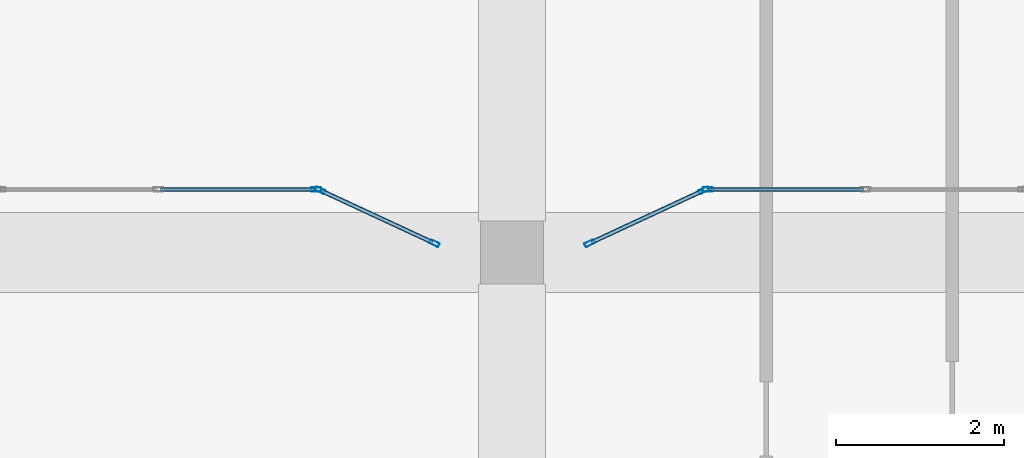
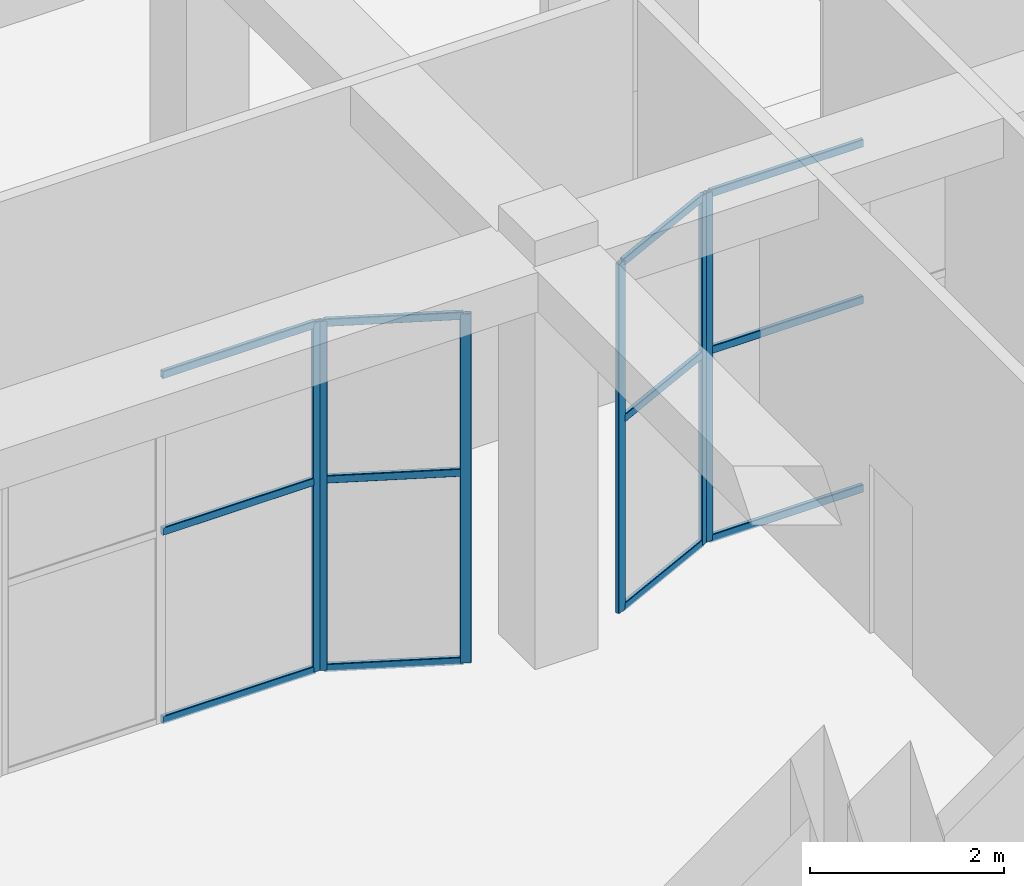
# One storey, part 14 of 84: 18 members, 4 elements without a shape of their own.
"""IFC4 building model written with IfcOpenShell, lengths in metres."""

from ifc_helpers import new_model, si_unit, derived_unit, direction, frame, origin, origin_2d, place, context, subcontext, project, spatial, hollow_rectangle, extrude, material, material_profile, profile_set, type_object, element, aggregate, save


model = new_model("IFC4")

# Units and contexts
model_context = context("Model", 3, precision=1e-05, world=origin(), true_north=direction((0.0, 1.0)))
body_context = subcontext(model_context, "Body", "Model", "MODEL_VIEW")
ifc_project = project(units=[si_unit("LENGTHUNIT", "METRE"), si_unit("AREAUNIT", "SQUARE_METRE"), si_unit("VOLUMEUNIT", "CUBIC_METRE"), si_unit("PLANEANGLEUNIT", "RADIAN"), si_unit("MASSUNIT", "GRAM", prefix="KILO"), derived_unit("THERMALTRANSMITTANCEUNIT", [(si_unit("POWERUNIT", "WATT"), 1), (si_unit("LENGTHUNIT", "METRE"), -2), (si_unit("THERMODYNAMICTEMPERATUREUNIT", "KELVIN"), -1)])], contexts=[model_context])

# Site, building, storey
site_placement = place(None, origin())
site = spatial("IfcSite", under=ifc_project, at=site_placement, CompositionType="ELEMENT")
building_placement = place(site_placement, origin())
building = spatial("IfcBuilding", under=site, at=building_placement, Name="Veybourne Emporium", CompositionType="ELEMENT")
storey_placement = place(building_placement, origin())
storey = spatial("IfcBuildingStorey", under=building, at=storey_placement, Name="L00", CompositionType="ELEMENT", Elevation=0.0)

# Curtain wall, member
ifc_material = material(Name="Patinated Architectural Bronze", Category="bronze")
curtain_wall_type_1 = type_object("IfcCurtainWallType", Name="CWSystem_CWI-05", PredefinedType="NOTDEFINED", material=ifc_material)
curtain_wall_1_placement = place(storey_placement, origin())
curtain_wall_1 = element("IfcCurtainWall", 1, at=curtain_wall_1_placement, inside=storey, type_object=curtain_wall_type_1, Name="Arcade bow-front boutique shopfront L00 bay 9 facet 2", PredefinedType="NOTDEFINED")
ifc_material_profile_1 = material_profile(ifc_material, hollow_rectangle(XDim=0.050048828125, YDim=0.1201171875, WallThickness=0.00390625, InnerFilletRadius=0.006103515625, OuterFilletRadius=0.010009765625, at=origin_2d()), Name="CWM 50x120x4")
ifc_profile_set_1 = profile_set([ifc_material_profile_1], Name="Patinated Architectural Bronze")
member_type_1 = type_object("IfcMemberType", Name="CWMullion_CW-M5", PredefinedType="MULLION", material=ifc_profile_set_1)
member_1_placement = place(storey_placement, frame((81.675048828125, 22.35009765625, 0.0), z_axis=(0.0, 0.0, 1.0), x_axis=(0.0, 1.0, 0.0)))
member_1 = element("IfcMember", 2, at=member_1_placement, type_object=member_type_1, Name="CWI-05 mullion 3", PredefinedType="MULLION", context=body_context, shape_type="SweptSolid", body=[
    extrude(hollow_rectangle(XDim=0.050048828125, YDim=0.1201171875, WallThickness=0.00390625, InnerFilletRadius=0.006103515625, OuterFilletRadius=0.010009765625, at=origin_2d()), origin(), (0.0, 0.0, 1.0), 4.39990234375),
])

# Curtain wall, members
curtain_wall_type_2 = type_object("IfcCurtainWallType", Name="CWSystem_CWI-06", PredefinedType="NOTDEFINED", material=ifc_material)
curtain_wall_2_placement = place(storey_placement, origin())
curtain_wall_2 = element("IfcCurtainWall", 3, at=curtain_wall_2_placement, inside=storey, type_object=curtain_wall_type_2, Name="Arcade bow-front boutique shopfront L00 bay 9 facet 3", PredefinedType="NOTDEFINED")
member_2_placement = place(storey_placement, frame((81.72265625, 22.33935546875, 0.0), z_axis=(0.0, 0.0, 1.0), x_axis=(0.421111306453, 0.907008967749, 0.0)))
member_2 = element("IfcMember", 4, at=member_2_placement, type_object=member_type_1, Name="CWI-06 mullion 1", PredefinedType="MULLION", context=body_context, shape_type="SweptSolid", body=[
    extrude(hollow_rectangle(XDim=0.050048828125, YDim=0.1201171875, WallThickness=0.00390625, InnerFilletRadius=0.006103515625, OuterFilletRadius=0.010009765625, at=origin_2d()), origin(), (0.0, 0.0, 1.0), 4.39990234375),
])
member_3_placement = place(storey_placement, frame((83.077392578125, 21.71044921875, 0.0), z_axis=(0.0, 0.0, 1.0), x_axis=(0.421111306453, 0.907008967749, 0.0)))
member_3 = element("IfcMember", 5, at=member_3_placement, type_object=member_type_1, Name="CWI-06 mullion 2", PredefinedType="MULLION", context=body_context, shape_type="SweptSolid", body=[
    extrude(hollow_rectangle(XDim=0.050048828125, YDim=0.1201171875, WallThickness=0.00390625, InnerFilletRadius=0.006103515625, OuterFilletRadius=0.010009765625, at=origin_2d()), origin(), (0.0, 0.0, 1.0), 4.39990234375),
])

curtain_wall_3_placement = place(storey_placement, origin())
curtain_wall_3 = element("IfcCurtainWall", 6, at=curtain_wall_3_placement, inside=storey, type_object=curtain_wall_type_1, Name="Arcade bow-front boutique shopfront L00 bay 10 facet 1", PredefinedType="NOTDEFINED")
member_4_placement = place(storey_placement, frame((84.922607421875, 21.71044921875, 0.0), z_axis=(0.0, 0.0, 1.0), x_axis=(-0.421111306453, 0.907008967749, 0.0)))
member_4 = element("IfcMember", 7, at=member_4_placement, type_object=member_type_1, Name="CWI-05 mullion 1", PredefinedType="MULLION", context=body_context, shape_type="SweptSolid", body=[
    extrude(hollow_rectangle(XDim=0.050048828125, YDim=0.1201171875, WallThickness=0.00390625, InnerFilletRadius=0.006103515625, OuterFilletRadius=0.010009765625, at=origin_2d()), origin(), (0.0, 0.0, 1.0), 4.39990234375),
])
member_5_placement = place(storey_placement, frame((86.27734375, 22.33935546875, 0.0), z_axis=(0.0, 0.0, 1.0), x_axis=(-0.421111306453, 0.907008967749, 0.0)))
member_5 = element("IfcMember", 8, at=member_5_placement, type_object=member_type_1, Name="CWI-05 mullion 2", PredefinedType="MULLION", context=body_context, shape_type="SweptSolid", body=[
    extrude(hollow_rectangle(XDim=0.050048828125, YDim=0.1201171875, WallThickness=0.00390625, InnerFilletRadius=0.006103515625, OuterFilletRadius=0.010009765625, at=origin_2d()), origin(), (0.0, 0.0, 1.0), 4.39990234375),
])

# Curtain wall, member
curtain_wall_4_placement = place(storey_placement, origin())
curtain_wall_4 = element("IfcCurtainWall", 9, at=curtain_wall_4_placement, inside=storey, type_object=curtain_wall_type_2, Name="Arcade bow-front boutique shopfront L00 bay 10 facet 2", PredefinedType="NOTDEFINED")
member_6_placement = place(storey_placement, frame((86.324951171875, 22.35009765625, 0.0), z_axis=(0.0, 0.0, 1.0), x_axis=(0.0, 1.0, 0.0)))
member_6 = element("IfcMember", 10, at=member_6_placement, type_object=member_type_1, Name="CWI-06 mullion 1", PredefinedType="MULLION", context=body_context, shape_type="SweptSolid", body=[
    extrude(hollow_rectangle(XDim=0.050048828125, YDim=0.1201171875, WallThickness=0.00390625, InnerFilletRadius=0.006103515625, OuterFilletRadius=0.010009765625, at=origin_2d()), origin(), (0.0, 0.0, 1.0), 4.39990234375),
])

# Member
ifc_material_profile_2 = material_profile(ifc_material, hollow_rectangle(XDim=0.050048828125, YDim=0.10009765625, WallThickness=0.00390625, InnerFilletRadius=0.006103515625, OuterFilletRadius=0.010009765625, at=origin_2d()), Name="CWT 50x100x4")
ifc_profile_set_2 = profile_set([ifc_material_profile_2], Name="Patinated Architectural Bronze")
member_type_2 = type_object("IfcMemberType", Name="CWTransom_CW-T5", PredefinedType="NOTDEFINED", material=ifc_profile_set_2)
member_7_placement = place(storey_placement, frame((79.824951171875, 22.35009765625, 0.02490234375), z_axis=(1.0, 0.0, 0.0), x_axis=(0.0, 1.0, 0.0)))
member_7 = element("IfcMember", 11, at=member_7_placement, type_object=member_type_2, Name="CWI-05 transom 2.1", ObjectType="TRANSOM", PredefinedType="USERDEFINED", context=body_context, shape_type="SweptSolid", body=[
    extrude(hollow_rectangle(XDim=0.050048828125, YDim=0.10009765625, WallThickness=0.00390625, InnerFilletRadius=0.006103515625, OuterFilletRadius=0.010009765625, at=origin_2d()), origin(), (0.0, 0.0, 1.0), 1.824951171875),
])

member_8_placement = place(storey_placement, frame((79.824951171875, 22.35009765625, 2.39990234375), z_axis=(1.0, 0.0, 0.0), x_axis=(0.0, 1.0, 0.0)))
member_8 = element("IfcMember", 12, at=member_8_placement, type_object=member_type_2, Name="CWI-05 transom 2.2", ObjectType="TRANSOM", PredefinedType="USERDEFINED", context=body_context, shape_type="SweptSolid", body=[
    extrude(hollow_rectangle(XDim=0.050048828125, YDim=0.10009765625, WallThickness=0.00390625, InnerFilletRadius=0.006103515625, OuterFilletRadius=0.010009765625, at=origin_2d()), origin(), (0.0, 0.0, 1.0), 1.824951171875),
])

member_9_placement = place(storey_placement, frame((79.824951171875, 22.35009765625, 4.375), z_axis=(1.0, 0.0, 0.0), x_axis=(0.0, 1.0, 0.0)))
member_9 = element("IfcMember", 13, at=member_9_placement, type_object=member_type_2, Name="CWI-05 transom 2.3", ObjectType="TRANSOM", PredefinedType="USERDEFINED", context=body_context, shape_type="SweptSolid", body=[
    extrude(hollow_rectangle(XDim=0.050048828125, YDim=0.10009765625, WallThickness=0.00390625, InnerFilletRadius=0.006103515625, OuterFilletRadius=0.010009765625, at=origin_2d()), origin(), (0.0, 0.0, 1.0), 1.824951171875),
])

aggregate(curtain_wall_1, [member_1, member_7, member_8, member_9])

member_10_placement = place(storey_placement, frame((81.745361328125, 22.328857421875, 0.02490234375), z_axis=(0.907006660705, -0.421116275435, 0.0), x_axis=(0.421116275435, 0.907006660705, 0.0)))
member_10 = element("IfcMember", 14, at=member_10_placement, type_object=member_type_2, Name="CWI-06 transom 1.1", ObjectType="TRANSOM", PredefinedType="USERDEFINED", context=body_context, shape_type="SweptSolid", body=[
    extrude(hollow_rectangle(XDim=0.050048828125, YDim=0.10009765625, WallThickness=0.00390625, InnerFilletRadius=0.006103515625, OuterFilletRadius=0.010009765625, at=origin_2d()), origin(), (0.0, 0.0, 1.0), 1.443603515625),
])

member_11_placement = place(storey_placement, frame((81.745361328125, 22.328857421875, 2.39990234375), z_axis=(0.907006660705, -0.421116275435, 0.0), x_axis=(0.421116275435, 0.907006660705, 0.0)))
member_11 = element("IfcMember", 15, at=member_11_placement, type_object=member_type_2, Name="CWI-06 transom 1.2", ObjectType="TRANSOM", PredefinedType="USERDEFINED", context=body_context, shape_type="SweptSolid", body=[
    extrude(hollow_rectangle(XDim=0.050048828125, YDim=0.10009765625, WallThickness=0.00390625, InnerFilletRadius=0.006103515625, OuterFilletRadius=0.010009765625, at=origin_2d()), origin(), (0.0, 0.0, 1.0), 1.443603515625),
])

member_12_placement = place(storey_placement, frame((81.745361328125, 22.328857421875, 4.375), z_axis=(0.907006660705, -0.421116275435, 0.0), x_axis=(0.421116275435, 0.907006660705, 0.0)))
member_12 = element("IfcMember", 16, at=member_12_placement, type_object=member_type_2, Name="CWI-06 transom 1.3", ObjectType="TRANSOM", PredefinedType="USERDEFINED", context=body_context, shape_type="SweptSolid", body=[
    extrude(hollow_rectangle(XDim=0.050048828125, YDim=0.10009765625, WallThickness=0.00390625, InnerFilletRadius=0.006103515625, OuterFilletRadius=0.010009765625, at=origin_2d()), origin(), (0.0, 0.0, 1.0), 1.443603515625),
])

aggregate(curtain_wall_2, [member_2, member_3, member_10, member_11, member_12])

member_13_placement = place(storey_placement, frame((84.9453125, 21.720947265625, 0.02490234375), z_axis=(0.907006660705, 0.421116275435, 0.0), x_axis=(-0.421116275435, 0.907006660705, 0.0)))
member_13 = element("IfcMember", 17, at=member_13_placement, type_object=member_type_2, Name="CWI-05 transom 1.1", ObjectType="TRANSOM", PredefinedType="USERDEFINED", context=body_context, shape_type="SweptSolid", body=[
    extrude(hollow_rectangle(XDim=0.050048828125, YDim=0.10009765625, WallThickness=0.00390625, InnerFilletRadius=0.006103515625, OuterFilletRadius=0.010009765625, at=origin_2d()), origin(), (0.0, 0.0, 1.0), 1.443603515625),
])

member_14_placement = place(storey_placement, frame((84.9453125, 21.720947265625, 2.39990234375), z_axis=(0.907006660705, 0.421116275435, 0.0), x_axis=(-0.421116275435, 0.907006660705, 0.0)))
member_14 = element("IfcMember", 18, at=member_14_placement, type_object=member_type_2, Name="CWI-05 transom 1.2", ObjectType="TRANSOM", PredefinedType="USERDEFINED", context=body_context, shape_type="SweptSolid", body=[
    extrude(hollow_rectangle(XDim=0.050048828125, YDim=0.10009765625, WallThickness=0.00390625, InnerFilletRadius=0.006103515625, OuterFilletRadius=0.010009765625, at=origin_2d()), origin(), (0.0, 0.0, 1.0), 1.443603515625),
])

member_15_placement = place(storey_placement, frame((84.9453125, 21.720947265625, 4.375), z_axis=(0.907006660705, 0.421116275435, 0.0), x_axis=(-0.421116275435, 0.907006660705, 0.0)))
member_15 = element("IfcMember", 19, at=member_15_placement, type_object=member_type_2, Name="CWI-05 transom 1.3", ObjectType="TRANSOM", PredefinedType="USERDEFINED", context=body_context, shape_type="SweptSolid", body=[
    extrude(hollow_rectangle(XDim=0.050048828125, YDim=0.10009765625, WallThickness=0.00390625, InnerFilletRadius=0.006103515625, OuterFilletRadius=0.010009765625, at=origin_2d()), origin(), (0.0, 0.0, 1.0), 1.443603515625),
])

aggregate(curtain_wall_3, [member_4, member_5, member_13, member_14, member_15])

member_16_placement = place(storey_placement, frame((86.35009765625, 22.35009765625, 0.02490234375), z_axis=(1.0, 0.0, 0.0), x_axis=(0.0, 1.0, 0.0)))
member_16 = element("IfcMember", 20, at=member_16_placement, type_object=member_type_2, Name="CWI-06 transom 1.1", ObjectType="TRANSOM", PredefinedType="USERDEFINED", context=body_context, shape_type="SweptSolid", body=[
    extrude(hollow_rectangle(XDim=0.050048828125, YDim=0.10009765625, WallThickness=0.00390625, InnerFilletRadius=0.006103515625, OuterFilletRadius=0.010009765625, at=origin_2d()), origin(), (0.0, 0.0, 1.0), 1.824951171875),
])

member_17_placement = place(storey_placement, frame((86.35009765625, 22.35009765625, 2.39990234375), z_axis=(1.0, 0.0, 0.0), x_axis=(0.0, 1.0, 0.0)))
member_17 = element("IfcMember", 21, at=member_17_placement, type_object=member_type_2, Name="CWI-06 transom 1.2", ObjectType="TRANSOM", PredefinedType="USERDEFINED", context=body_context, shape_type="SweptSolid", body=[
    extrude(hollow_rectangle(XDim=0.050048828125, YDim=0.10009765625, WallThickness=0.00390625, InnerFilletRadius=0.006103515625, OuterFilletRadius=0.010009765625, at=origin_2d()), origin(), (0.0, 0.0, 1.0), 1.824951171875),
])

member_18_placement = place(storey_placement, frame((86.35009765625, 22.35009765625, 4.375), z_axis=(1.0, 0.0, 0.0), x_axis=(0.0, 1.0, 0.0)))
member_18 = element("IfcMember", 22, at=member_18_placement, type_object=member_type_2, Name="CWI-06 transom 1.3", ObjectType="TRANSOM", PredefinedType="USERDEFINED", context=body_context, shape_type="SweptSolid", body=[
    extrude(hollow_rectangle(XDim=0.050048828125, YDim=0.10009765625, WallThickness=0.00390625, InnerFilletRadius=0.006103515625, OuterFilletRadius=0.010009765625, at=origin_2d()), origin(), (0.0, 0.0, 1.0), 1.824951171875),
])

aggregate(curtain_wall_4, [member_6, member_16, member_17, member_18])

save(model, "model.ifc")
